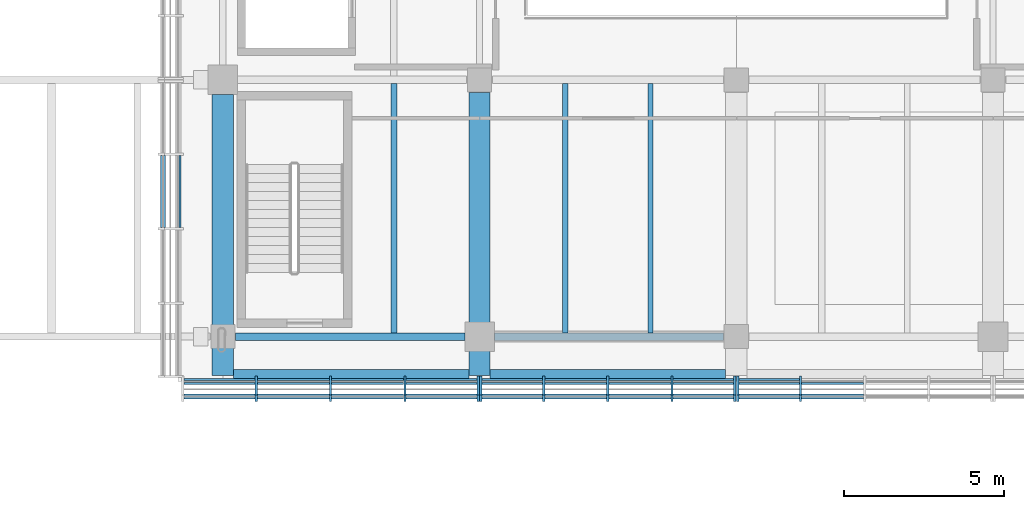
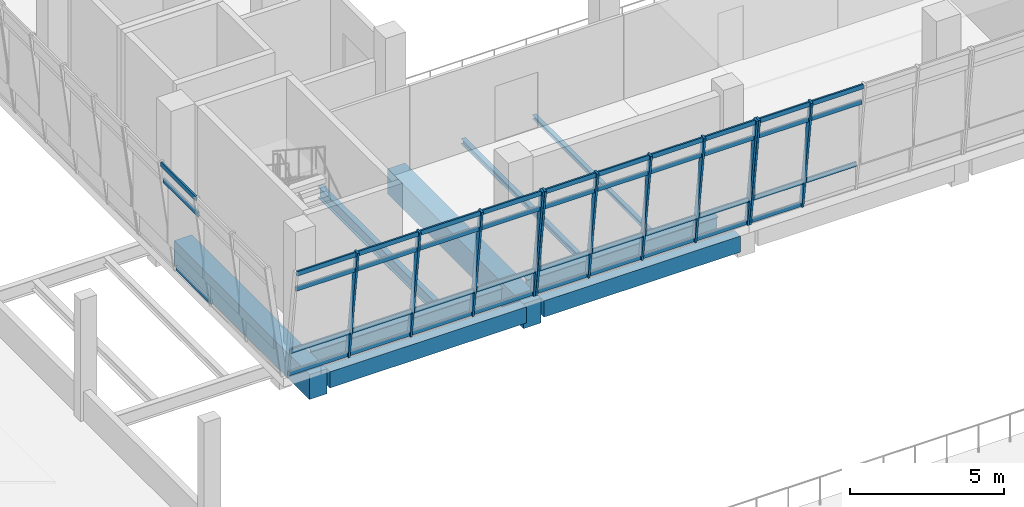
# One storey, part 10 of 52: 53 members, 9 beams, 4 elements without a shape of their own.
"""IFC4 building model written with IfcOpenShell, lengths in metres."""

from ifc_helpers import new_model, si_unit, direction, frame, origin, origin_2d, place, context, subcontext, project, spatial, rectangle, i_section, extrude, material, material_profile, profile_set, type_object, element, aggregate, save


model = new_model("IFC4")

# Units and contexts
model_context = context("Model", 3, precision=1e-05, world=origin(), true_north=direction((0.0, 1.0)))
body_context = subcontext(model_context, "Body", "Model", "MODEL_VIEW")
ifc_project = project(units=[si_unit("LENGTHUNIT", "METRE"), si_unit("AREAUNIT", "SQUARE_METRE"), si_unit("VOLUMEUNIT", "CUBIC_METRE"), si_unit("PLANEANGLEUNIT", "RADIAN"), si_unit("MASSUNIT", "GRAM", prefix="KILO")], contexts=[model_context])

# Site, building, storey
site_placement = place(None, origin())
site = spatial("IfcSite", under=ifc_project, at=site_placement, CompositionType="ELEMENT")
building_placement = place(site_placement, origin())
building = spatial("IfcBuilding", under=site, at=building_placement, Name="Pecanmere Concourse Central Library", CompositionType="ELEMENT")
storey_placement = place(building_placement, frame((0.0, 0.0, 10.5)))
storey = spatial("IfcBuildingStorey", under=building, at=storey_placement, Name="L03", CompositionType="ELEMENT", Elevation=10.5)

# Curtain wall, members
ifc_material_1 = material(Name="Anodized bronze aluminium alloy 6063-T6", Category="aluminium")
curtain_wall_type = type_object("IfcCurtainWallType", Name="CW_LEAN_BANDED", PredefinedType="USERDEFINED", material=ifc_material_1)
curtain_wall_1_placement = place(storey_placement, origin())
curtain_wall_1 = element("IfcCurtainWall", 1, at=curtain_wall_1_placement, inside=storey, type_object=curtain_wall_type, Name="Unitised Curtain Wall CW-01 L03-026", ObjectType="UNITISED CURTAIN WALL", PredefinedType="USERDEFINED")
ifc_material_2 = material(Name="Anodized bronze aluminium alloy 6063-T6", Category="aluminium")
ifc_material_profile_1 = material_profile(ifc_material_2, rectangle(XDim=0.074951171875, YDim=0.199951171875, at=origin_2d()), Name="AL 75x200")
ifc_profile_set_1 = profile_set([ifc_material_profile_1], Name="Anodized bronze aluminium alloy 6063-T6")
member_type_1 = type_object("IfcMemberType", Name="CWM_200x75", PredefinedType="MULLION", material=ifc_profile_set_1)
member_1_placement = place(storey_placement, frame((73.0380859375, 88.678955078125, 0.0), z_axis=(0.0, -0.132234484848, 0.991218462811), x_axis=(1.0, 0.0, 0.0)))
member_1 = element("IfcMember", 2, at=member_1_placement, type_object=member_type_1, Name="CW-01 Mullion 2", PredefinedType="MULLION", context=body_context, shape_type="SweptSolid", body=[
    extrude(rectangle(XDim=0.074951171875, YDim=0.199951171875, at=origin_2d()), origin(), (0.0, 0.0, 1.0), 4.519775390625),
])
member_2_placement = place(storey_placement, frame((75.35693359375, 88.678955078125, 0.0), z_axis=(0.0, -0.132234484848, 0.991218462811), x_axis=(1.0, 0.0, 0.0)))
member_2 = element("IfcMember", 3, at=member_2_placement, type_object=member_type_1, Name="CW-01 Mullion 3", PredefinedType="MULLION", context=body_context, shape_type="SweptSolid", body=[
    extrude(rectangle(XDim=0.074951171875, YDim=0.199951171875, at=origin_2d()), origin(), (0.0, 0.0, 1.0), 4.519775390625),
])
member_3_placement = place(storey_placement, frame((77.676025390625, 88.678955078125, 0.0), z_axis=(0.0, -0.132234484848, 0.991218462811), x_axis=(1.0, 0.0, 0.0)))
member_3 = element("IfcMember", 4, at=member_3_placement, type_object=member_type_1, Name="CW-01 Mullion 4", PredefinedType="MULLION", context=body_context, shape_type="SweptSolid", body=[
    extrude(rectangle(XDim=0.074951171875, YDim=0.199951171875, at=origin_2d()), origin(), (0.0, 0.0, 1.0), 4.519775390625),
])
member_4_placement = place(storey_placement, frame((79.95751953125, 88.678955078125, 0.0), z_axis=(0.0, -0.132234484848, 0.991218462811), x_axis=(1.0, 0.0, 0.0)))
member_4 = element("IfcMember", 5, at=member_4_placement, type_object=member_type_1, Name="CW-01 Mullion 5", PredefinedType="MULLION", context=body_context, shape_type="SweptSolid", body=[
    extrude(rectangle(XDim=0.074951171875, YDim=0.199951171875, at=origin_2d()), origin(), (0.0, 0.0, 1.0), 4.519775390625),
])

curtain_wall_2_placement = place(storey_placement, origin())
curtain_wall_2 = element("IfcCurtainWall", 6, at=curtain_wall_2_placement, inside=storey, type_object=curtain_wall_type, Name="Unitised Curtain Wall CW-01 L03-027", ObjectType="UNITISED CURTAIN WALL", PredefinedType="USERDEFINED")
member_5_placement = place(storey_placement, frame((80.04248046875, 88.678955078125, 0.0), z_axis=(0.0, -0.132234484848, 0.991218462811), x_axis=(1.0, 0.0, 0.0)))
member_5 = element("IfcMember", 7, at=member_5_placement, type_object=member_type_1, Name="CW-01 Mullion 1", PredefinedType="MULLION", context=body_context, shape_type="SweptSolid", body=[
    extrude(rectangle(XDim=0.074951171875, YDim=0.199951171875, at=origin_2d()), origin(), (0.0, 0.0, 1.0), 4.519775390625),
])
member_6_placement = place(storey_placement, frame((82.00244140625, 88.678955078125, 0.0), z_axis=(0.0, -0.132234484848, 0.991218462811), x_axis=(1.0, 0.0, 0.0)))
member_6 = element("IfcMember", 8, at=member_6_placement, type_object=member_type_1, Name="CW-01 Mullion 2", PredefinedType="MULLION", context=body_context, shape_type="SweptSolid", body=[
    extrude(rectangle(XDim=0.074951171875, YDim=0.199951171875, at=origin_2d()), origin(), (0.0, 0.0, 1.0), 4.519775390625),
])
member_7_placement = place(storey_placement, frame((84.0, 88.678955078125, 0.0), z_axis=(0.0, -0.132234484848, 0.991218462811), x_axis=(1.0, 0.0, 0.0)))
member_7 = element("IfcMember", 9, at=member_7_placement, type_object=member_type_1, Name="CW-01 Mullion 3", PredefinedType="MULLION", context=body_context, shape_type="SweptSolid", body=[
    extrude(rectangle(XDim=0.074951171875, YDim=0.199951171875, at=origin_2d()), origin(), (0.0, 0.0, 1.0), 4.519775390625),
])
member_8_placement = place(storey_placement, frame((85.99755859375, 88.678955078125, 0.0), z_axis=(0.0, -0.132234484848, 0.991218462811), x_axis=(1.0, 0.0, 0.0)))
member_8 = element("IfcMember", 10, at=member_8_placement, type_object=member_type_1, Name="CW-01 Mullion 4", PredefinedType="MULLION", context=body_context, shape_type="SweptSolid", body=[
    extrude(rectangle(XDim=0.074951171875, YDim=0.199951171875, at=origin_2d()), origin(), (0.0, 0.0, 1.0), 4.519775390625),
])
member_9_placement = place(storey_placement, frame((87.95751953125, 88.678955078125, 0.0), z_axis=(0.0, -0.132234484848, 0.991218462811), x_axis=(1.0, 0.0, 0.0)))
member_9 = element("IfcMember", 11, at=member_9_placement, type_object=member_type_1, Name="CW-01 Mullion 5", PredefinedType="MULLION", context=body_context, shape_type="SweptSolid", body=[
    extrude(rectangle(XDim=0.074951171875, YDim=0.199951171875, at=origin_2d()), origin(), (0.0, 0.0, 1.0), 4.519775390625),
])

curtain_wall_3_placement = place(storey_placement, origin())
curtain_wall_3 = element("IfcCurtainWall", 12, at=curtain_wall_3_placement, inside=storey, type_object=curtain_wall_type, Name="Unitised Curtain Wall CW-01 L03-028", ObjectType="UNITISED CURTAIN WALL", PredefinedType="USERDEFINED")
member_10_placement = place(storey_placement, frame((88.04248046875, 88.678955078125, 0.0), z_axis=(0.0, -0.132234484848, 0.991218462811), x_axis=(1.0, 0.0, 0.0)))
member_10 = element("IfcMember", 13, at=member_10_placement, type_object=member_type_1, Name="CW-01 Mullion 1", PredefinedType="MULLION", context=body_context, shape_type="SweptSolid", body=[
    extrude(rectangle(XDim=0.074951171875, YDim=0.199951171875, at=origin_2d()), origin(), (0.0, 0.0, 1.0), 4.519775390625),
])
member_11_placement = place(storey_placement, frame((90.00244140625, 88.678955078125, 0.0), z_axis=(0.0, -0.132234484848, 0.991218462811), x_axis=(1.0, 0.0, 0.0)))
member_11 = element("IfcMember", 14, at=member_11_placement, type_object=member_type_1, Name="CW-01 Mullion 2", PredefinedType="MULLION", context=body_context, shape_type="SweptSolid", body=[
    extrude(rectangle(XDim=0.074951171875, YDim=0.199951171875, at=origin_2d()), origin(), (0.0, 0.0, 1.0), 4.519775390625),
])

# Member
ifc_material_3 = material(Name="Anodized bronze aluminium alloy 6063-T6", Category="aluminium")
ifc_material_profile_2 = material_profile(ifc_material_3, rectangle(XDim=0.06494140625, YDim=0.179931640625, at=origin_2d()), Name="AL 65x180")
ifc_profile_set_2 = profile_set([ifc_material_profile_2], Name="Anodized bronze aluminium alloy 6063-T6")
member_type_2 = type_object("IfcMemberType", Name="CWT_180x65", PredefinedType="USERDEFINED", material=ifc_profile_set_2)
member_12_placement = place(storey_placement, frame((70.7939453125, 88.6669921875, 0.090087890625), z_axis=(1.0, 0.0, 0.0), x_axis=(0.0, 1.0, 0.0)))
member_12 = element("IfcMember", 15, at=member_12_placement, type_object=member_type_2, Name="CW-01 Transom 1.1", ObjectType="TRANSOM", PredefinedType="USERDEFINED", context=body_context, shape_type="SweptSolid", body=[
    extrude(rectangle(XDim=0.06494140625, YDim=0.179931640625, at=origin_2d()), origin(), (0.0, 0.0, 1.0), 2.20654296875),
])

member_13_placement = place(storey_placement, frame((70.7939453125, 88.538818359375, 1.050048828125), z_axis=(1.0, 0.0, 0.0), x_axis=(0.0, 1.0, 0.0)))
member_13 = element("IfcMember", 16, at=member_13_placement, type_object=member_type_2, Name="CW-01 Transom 1.2", ObjectType="TRANSOM", PredefinedType="USERDEFINED", context=body_context, shape_type="SweptSolid", body=[
    extrude(rectangle(XDim=0.06494140625, YDim=0.179931640625, at=origin_2d()), origin(), (0.0, 0.0, 1.0), 2.20654296875),
])

member_14_placement = place(storey_placement, frame((70.7939453125, 88.181396484375, 3.72998046875), z_axis=(1.0, 0.0, 0.0), x_axis=(0.0, 1.0, 0.0)))
member_14 = element("IfcMember", 17, at=member_14_placement, type_object=member_type_2, Name="CW-01 Transom 1.3", ObjectType="TRANSOM", PredefinedType="USERDEFINED", context=body_context, shape_type="SweptSolid", body=[
    extrude(rectangle(XDim=0.06494140625, YDim=0.179931640625, at=origin_2d()), origin(), (0.0, 0.0, 1.0), 2.20654296875),
])

member_15_placement = place(storey_placement, frame((70.7939453125, 88.09326171875, 4.389892578125), z_axis=(1.0, 0.0, 0.0), x_axis=(0.0, 1.0, 0.0)))
member_15 = element("IfcMember", 18, at=member_15_placement, type_object=member_type_2, Name="CW-01 Transom 1.4", ObjectType="TRANSOM", PredefinedType="USERDEFINED", context=body_context, shape_type="SweptSolid", body=[
    extrude(rectangle(XDim=0.06494140625, YDim=0.179931640625, at=origin_2d()), origin(), (0.0, 0.0, 1.0), 2.20654296875),
])

member_16_placement = place(storey_placement, frame((73.075439453125, 88.6669921875, 0.090087890625), z_axis=(1.0, 0.0, 0.0), x_axis=(0.0, 1.0, 0.0)))
member_16 = element("IfcMember", 19, at=member_16_placement, type_object=member_type_2, Name="CW-01 Transom 2.1", ObjectType="TRANSOM", PredefinedType="USERDEFINED", context=body_context, shape_type="SweptSolid", body=[
    extrude(rectangle(XDim=0.06494140625, YDim=0.179931640625, at=origin_2d()), origin(), (0.0, 0.0, 1.0), 2.244140625),
])

member_17_placement = place(storey_placement, frame((73.075439453125, 88.538818359375, 1.050048828125), z_axis=(1.0, 0.0, 0.0), x_axis=(0.0, 1.0, 0.0)))
member_17 = element("IfcMember", 20, at=member_17_placement, type_object=member_type_2, Name="CW-01 Transom 2.2", ObjectType="TRANSOM", PredefinedType="USERDEFINED", context=body_context, shape_type="SweptSolid", body=[
    extrude(rectangle(XDim=0.06494140625, YDim=0.179931640625, at=origin_2d()), origin(), (0.0, 0.0, 1.0), 2.244140625),
])

member_18_placement = place(storey_placement, frame((73.075439453125, 88.181396484375, 3.72998046875), z_axis=(1.0, 0.0, 0.0), x_axis=(0.0, 1.0, 0.0)))
member_18 = element("IfcMember", 21, at=member_18_placement, type_object=member_type_2, Name="CW-01 Transom 2.3", ObjectType="TRANSOM", PredefinedType="USERDEFINED", context=body_context, shape_type="SweptSolid", body=[
    extrude(rectangle(XDim=0.06494140625, YDim=0.179931640625, at=origin_2d()), origin(), (0.0, 0.0, 1.0), 2.244140625),
])

member_19_placement = place(storey_placement, frame((73.075439453125, 88.09326171875, 4.389892578125), z_axis=(1.0, 0.0, 0.0), x_axis=(0.0, 1.0, 0.0)))
member_19 = element("IfcMember", 22, at=member_19_placement, type_object=member_type_2, Name="CW-01 Transom 2.4", ObjectType="TRANSOM", PredefinedType="USERDEFINED", context=body_context, shape_type="SweptSolid", body=[
    extrude(rectangle(XDim=0.06494140625, YDim=0.179931640625, at=origin_2d()), origin(), (0.0, 0.0, 1.0), 2.244140625),
])

member_20_placement = place(storey_placement, frame((75.39453125, 88.6669921875, 0.090087890625), z_axis=(1.0, 0.0, 0.0), x_axis=(0.0, 1.0, 0.0)))
member_20 = element("IfcMember", 23, at=member_20_placement, type_object=member_type_2, Name="CW-01 Transom 3.1", ObjectType="TRANSOM", PredefinedType="USERDEFINED", context=body_context, shape_type="SweptSolid", body=[
    extrude(rectangle(XDim=0.06494140625, YDim=0.179931640625, at=origin_2d()), origin(), (0.0, 0.0, 1.0), 2.243896484375),
])

member_21_placement = place(storey_placement, frame((75.39453125, 88.538818359375, 1.050048828125), z_axis=(1.0, 0.0, 0.0), x_axis=(0.0, 1.0, 0.0)))
member_21 = element("IfcMember", 24, at=member_21_placement, type_object=member_type_2, Name="CW-01 Transom 3.2", ObjectType="TRANSOM", PredefinedType="USERDEFINED", context=body_context, shape_type="SweptSolid", body=[
    extrude(rectangle(XDim=0.06494140625, YDim=0.179931640625, at=origin_2d()), origin(), (0.0, 0.0, 1.0), 2.243896484375),
])

member_22_placement = place(storey_placement, frame((75.39453125, 88.181396484375, 3.72998046875), z_axis=(1.0, 0.0, 0.0), x_axis=(0.0, 1.0, 0.0)))
member_22 = element("IfcMember", 25, at=member_22_placement, type_object=member_type_2, Name="CW-01 Transom 3.3", ObjectType="TRANSOM", PredefinedType="USERDEFINED", context=body_context, shape_type="SweptSolid", body=[
    extrude(rectangle(XDim=0.06494140625, YDim=0.179931640625, at=origin_2d()), origin(), (0.0, 0.0, 1.0), 2.243896484375),
])

member_23_placement = place(storey_placement, frame((75.39453125, 88.09326171875, 4.389892578125), z_axis=(1.0, 0.0, 0.0), x_axis=(0.0, 1.0, 0.0)))
member_23 = element("IfcMember", 26, at=member_23_placement, type_object=member_type_2, Name="CW-01 Transom 3.4", ObjectType="TRANSOM", PredefinedType="USERDEFINED", context=body_context, shape_type="SweptSolid", body=[
    extrude(rectangle(XDim=0.06494140625, YDim=0.179931640625, at=origin_2d()), origin(), (0.0, 0.0, 1.0), 2.243896484375),
])

member_24_placement = place(storey_placement, frame((77.71337890625, 88.6669921875, 0.090087890625), z_axis=(1.0, 0.0, 0.0), x_axis=(0.0, 1.0, 0.0)))
member_24 = element("IfcMember", 27, at=member_24_placement, type_object=member_type_2, Name="CW-01 Transom 4.1", ObjectType="TRANSOM", PredefinedType="USERDEFINED", context=body_context, shape_type="SweptSolid", body=[
    extrude(rectangle(XDim=0.06494140625, YDim=0.179931640625, at=origin_2d()), origin(), (0.0, 0.0, 1.0), 2.20654296875),
])

member_25_placement = place(storey_placement, frame((77.71337890625, 88.538818359375, 1.050048828125), z_axis=(1.0, 0.0, 0.0), x_axis=(0.0, 1.0, 0.0)))
member_25 = element("IfcMember", 28, at=member_25_placement, type_object=member_type_2, Name="CW-01 Transom 4.2", ObjectType="TRANSOM", PredefinedType="USERDEFINED", context=body_context, shape_type="SweptSolid", body=[
    extrude(rectangle(XDim=0.06494140625, YDim=0.179931640625, at=origin_2d()), origin(), (0.0, 0.0, 1.0), 2.20654296875),
])

member_26_placement = place(storey_placement, frame((77.71337890625, 88.181396484375, 3.72998046875), z_axis=(1.0, 0.0, 0.0), x_axis=(0.0, 1.0, 0.0)))
member_26 = element("IfcMember", 29, at=member_26_placement, type_object=member_type_2, Name="CW-01 Transom 4.3", ObjectType="TRANSOM", PredefinedType="USERDEFINED", context=body_context, shape_type="SweptSolid", body=[
    extrude(rectangle(XDim=0.06494140625, YDim=0.179931640625, at=origin_2d()), origin(), (0.0, 0.0, 1.0), 2.20654296875),
])

member_27_placement = place(storey_placement, frame((77.71337890625, 88.09326171875, 4.389892578125), z_axis=(1.0, 0.0, 0.0), x_axis=(0.0, 1.0, 0.0)))
member_27 = element("IfcMember", 30, at=member_27_placement, type_object=member_type_2, Name="CW-01 Transom 4.4", ObjectType="TRANSOM", PredefinedType="USERDEFINED", context=body_context, shape_type="SweptSolid", body=[
    extrude(rectangle(XDim=0.06494140625, YDim=0.179931640625, at=origin_2d()), origin(), (0.0, 0.0, 1.0), 2.20654296875),
])

aggregate(curtain_wall_1, [member_1, member_2, member_3, member_4, member_12, member_13, member_14, member_15, member_16, member_17, member_18, member_19, member_20, member_21, member_22, member_23, member_24, member_25, member_26, member_27])

member_28_placement = place(storey_placement, frame((80.080078125, 88.6669921875, 0.090087890625), z_axis=(1.0, 0.0, 0.0), x_axis=(0.0, 1.0, 0.0)))
member_28 = element("IfcMember", 31, at=member_28_placement, type_object=member_type_2, Name="CW-01 Transom 1.1", ObjectType="TRANSOM", PredefinedType="USERDEFINED", context=body_context, shape_type="SweptSolid", body=[
    extrude(rectangle(XDim=0.06494140625, YDim=0.179931640625, at=origin_2d()), origin(), (0.0, 0.0, 1.0), 1.885009765625),
])

member_29_placement = place(storey_placement, frame((80.080078125, 88.538818359375, 1.050048828125), z_axis=(1.0, 0.0, 0.0), x_axis=(0.0, 1.0, 0.0)))
member_29 = element("IfcMember", 32, at=member_29_placement, type_object=member_type_2, Name="CW-01 Transom 1.2", ObjectType="TRANSOM", PredefinedType="USERDEFINED", context=body_context, shape_type="SweptSolid", body=[
    extrude(rectangle(XDim=0.06494140625, YDim=0.179931640625, at=origin_2d()), origin(), (0.0, 0.0, 1.0), 1.885009765625),
])

member_30_placement = place(storey_placement, frame((80.080078125, 88.181396484375, 3.72998046875), z_axis=(1.0, 0.0, 0.0), x_axis=(0.0, 1.0, 0.0)))
member_30 = element("IfcMember", 33, at=member_30_placement, type_object=member_type_2, Name="CW-01 Transom 1.3", ObjectType="TRANSOM", PredefinedType="USERDEFINED", context=body_context, shape_type="SweptSolid", body=[
    extrude(rectangle(XDim=0.06494140625, YDim=0.179931640625, at=origin_2d()), origin(), (0.0, 0.0, 1.0), 1.885009765625),
])

member_31_placement = place(storey_placement, frame((80.080078125, 88.09326171875, 4.389892578125), z_axis=(1.0, 0.0, 0.0), x_axis=(0.0, 1.0, 0.0)))
member_31 = element("IfcMember", 34, at=member_31_placement, type_object=member_type_2, Name="CW-01 Transom 1.4", ObjectType="TRANSOM", PredefinedType="USERDEFINED", context=body_context, shape_type="SweptSolid", body=[
    extrude(rectangle(XDim=0.06494140625, YDim=0.179931640625, at=origin_2d()), origin(), (0.0, 0.0, 1.0), 1.885009765625),
])

member_32_placement = place(storey_placement, frame((82.0400390625, 88.6669921875, 0.090087890625), z_axis=(1.0, 0.0, 0.0), x_axis=(0.0, 1.0, 0.0)))
member_32 = element("IfcMember", 35, at=member_32_placement, type_object=member_type_2, Name="CW-01 Transom 2.1", ObjectType="TRANSOM", PredefinedType="USERDEFINED", context=body_context, shape_type="SweptSolid", body=[
    extrude(rectangle(XDim=0.06494140625, YDim=0.179931640625, at=origin_2d()), origin(), (0.0, 0.0, 1.0), 1.92236328125),
])

member_33_placement = place(storey_placement, frame((82.0400390625, 88.538818359375, 1.050048828125), z_axis=(1.0, 0.0, 0.0), x_axis=(0.0, 1.0, 0.0)))
member_33 = element("IfcMember", 36, at=member_33_placement, type_object=member_type_2, Name="CW-01 Transom 2.2", ObjectType="TRANSOM", PredefinedType="USERDEFINED", context=body_context, shape_type="SweptSolid", body=[
    extrude(rectangle(XDim=0.06494140625, YDim=0.179931640625, at=origin_2d()), origin(), (0.0, 0.0, 1.0), 1.92236328125),
])

member_34_placement = place(storey_placement, frame((82.0400390625, 88.181396484375, 3.72998046875), z_axis=(1.0, 0.0, 0.0), x_axis=(0.0, 1.0, 0.0)))
member_34 = element("IfcMember", 37, at=member_34_placement, type_object=member_type_2, Name="CW-01 Transom 2.3", ObjectType="TRANSOM", PredefinedType="USERDEFINED", context=body_context, shape_type="SweptSolid", body=[
    extrude(rectangle(XDim=0.06494140625, YDim=0.179931640625, at=origin_2d()), origin(), (0.0, 0.0, 1.0), 1.92236328125),
])

member_35_placement = place(storey_placement, frame((82.0400390625, 88.09326171875, 4.389892578125), z_axis=(1.0, 0.0, 0.0), x_axis=(0.0, 1.0, 0.0)))
member_35 = element("IfcMember", 38, at=member_35_placement, type_object=member_type_2, Name="CW-01 Transom 2.4", ObjectType="TRANSOM", PredefinedType="USERDEFINED", context=body_context, shape_type="SweptSolid", body=[
    extrude(rectangle(XDim=0.06494140625, YDim=0.179931640625, at=origin_2d()), origin(), (0.0, 0.0, 1.0), 1.92236328125),
])

member_36_placement = place(storey_placement, frame((84.03759765625, 88.6669921875, 0.090087890625), z_axis=(1.0, 0.0, 0.0), x_axis=(0.0, 1.0, 0.0)))
member_36 = element("IfcMember", 39, at=member_36_placement, type_object=member_type_2, Name="CW-01 Transom 3.1", ObjectType="TRANSOM", PredefinedType="USERDEFINED", context=body_context, shape_type="SweptSolid", body=[
    extrude(rectangle(XDim=0.06494140625, YDim=0.179931640625, at=origin_2d()), origin(), (0.0, 0.0, 1.0), 1.92236328125),
])

member_37_placement = place(storey_placement, frame((84.03759765625, 88.538818359375, 1.050048828125), z_axis=(1.0, 0.0, 0.0), x_axis=(0.0, 1.0, 0.0)))
member_37 = element("IfcMember", 40, at=member_37_placement, type_object=member_type_2, Name="CW-01 Transom 3.2", ObjectType="TRANSOM", PredefinedType="USERDEFINED", context=body_context, shape_type="SweptSolid", body=[
    extrude(rectangle(XDim=0.06494140625, YDim=0.179931640625, at=origin_2d()), origin(), (0.0, 0.0, 1.0), 1.92236328125),
])

member_38_placement = place(storey_placement, frame((84.03759765625, 88.181396484375, 3.72998046875), z_axis=(1.0, 0.0, 0.0), x_axis=(0.0, 1.0, 0.0)))
member_38 = element("IfcMember", 41, at=member_38_placement, type_object=member_type_2, Name="CW-01 Transom 3.3", ObjectType="TRANSOM", PredefinedType="USERDEFINED", context=body_context, shape_type="SweptSolid", body=[
    extrude(rectangle(XDim=0.06494140625, YDim=0.179931640625, at=origin_2d()), origin(), (0.0, 0.0, 1.0), 1.92236328125),
])

member_39_placement = place(storey_placement, frame((84.03759765625, 88.09326171875, 4.389892578125), z_axis=(1.0, 0.0, 0.0), x_axis=(0.0, 1.0, 0.0)))
member_39 = element("IfcMember", 42, at=member_39_placement, type_object=member_type_2, Name="CW-01 Transom 3.4", ObjectType="TRANSOM", PredefinedType="USERDEFINED", context=body_context, shape_type="SweptSolid", body=[
    extrude(rectangle(XDim=0.06494140625, YDim=0.179931640625, at=origin_2d()), origin(), (0.0, 0.0, 1.0), 1.92236328125),
])

member_40_placement = place(storey_placement, frame((86.034912109375, 88.6669921875, 0.090087890625), z_axis=(1.0, 0.0, 0.0), x_axis=(0.0, 1.0, 0.0)))
member_40 = element("IfcMember", 43, at=member_40_placement, type_object=member_type_2, Name="CW-01 Transom 4.1", ObjectType="TRANSOM", PredefinedType="USERDEFINED", context=body_context, shape_type="SweptSolid", body=[
    extrude(rectangle(XDim=0.06494140625, YDim=0.179931640625, at=origin_2d()), origin(), (0.0, 0.0, 1.0), 1.885009765625),
])

member_41_placement = place(storey_placement, frame((86.034912109375, 88.538818359375, 1.050048828125), z_axis=(1.0, 0.0, 0.0), x_axis=(0.0, 1.0, 0.0)))
member_41 = element("IfcMember", 44, at=member_41_placement, type_object=member_type_2, Name="CW-01 Transom 4.2", ObjectType="TRANSOM", PredefinedType="USERDEFINED", context=body_context, shape_type="SweptSolid", body=[
    extrude(rectangle(XDim=0.06494140625, YDim=0.179931640625, at=origin_2d()), origin(), (0.0, 0.0, 1.0), 1.885009765625),
])

member_42_placement = place(storey_placement, frame((86.034912109375, 88.181396484375, 3.72998046875), z_axis=(1.0, 0.0, 0.0), x_axis=(0.0, 1.0, 0.0)))
member_42 = element("IfcMember", 45, at=member_42_placement, type_object=member_type_2, Name="CW-01 Transom 4.3", ObjectType="TRANSOM", PredefinedType="USERDEFINED", context=body_context, shape_type="SweptSolid", body=[
    extrude(rectangle(XDim=0.06494140625, YDim=0.179931640625, at=origin_2d()), origin(), (0.0, 0.0, 1.0), 1.885009765625),
])

member_43_placement = place(storey_placement, frame((86.034912109375, 88.09326171875, 4.389892578125), z_axis=(1.0, 0.0, 0.0), x_axis=(0.0, 1.0, 0.0)))
member_43 = element("IfcMember", 46, at=member_43_placement, type_object=member_type_2, Name="CW-01 Transom 4.4", ObjectType="TRANSOM", PredefinedType="USERDEFINED", context=body_context, shape_type="SweptSolid", body=[
    extrude(rectangle(XDim=0.06494140625, YDim=0.179931640625, at=origin_2d()), origin(), (0.0, 0.0, 1.0), 1.885009765625),
])

aggregate(curtain_wall_2, [member_5, member_6, member_7, member_8, member_9, member_28, member_29, member_30, member_31, member_32, member_33, member_34, member_35, member_36, member_37, member_38, member_39, member_40, member_41, member_42, member_43])

member_44_placement = place(storey_placement, frame((88.080078125, 88.6669921875, 0.090087890625), z_axis=(1.0, 0.0, 0.0), x_axis=(0.0, 1.0, 0.0)))
member_44 = element("IfcMember", 47, at=member_44_placement, type_object=member_type_2, Name="CW-01 Transom 1.1", ObjectType="TRANSOM", PredefinedType="USERDEFINED", context=body_context, shape_type="SweptSolid", body=[
    extrude(rectangle(XDim=0.06494140625, YDim=0.179931640625, at=origin_2d()), origin(), (0.0, 0.0, 1.0), 1.885009765625),
])

member_45_placement = place(storey_placement, frame((88.080078125, 88.538818359375, 1.050048828125), z_axis=(1.0, 0.0, 0.0), x_axis=(0.0, 1.0, 0.0)))
member_45 = element("IfcMember", 48, at=member_45_placement, type_object=member_type_2, Name="CW-01 Transom 1.2", ObjectType="TRANSOM", PredefinedType="USERDEFINED", context=body_context, shape_type="SweptSolid", body=[
    extrude(rectangle(XDim=0.06494140625, YDim=0.179931640625, at=origin_2d()), origin(), (0.0, 0.0, 1.0), 1.885009765625),
])

member_46_placement = place(storey_placement, frame((88.080078125, 88.181396484375, 3.72998046875), z_axis=(1.0, 0.0, 0.0), x_axis=(0.0, 1.0, 0.0)))
member_46 = element("IfcMember", 49, at=member_46_placement, type_object=member_type_2, Name="CW-01 Transom 1.3", ObjectType="TRANSOM", PredefinedType="USERDEFINED", context=body_context, shape_type="SweptSolid", body=[
    extrude(rectangle(XDim=0.06494140625, YDim=0.179931640625, at=origin_2d()), origin(), (0.0, 0.0, 1.0), 1.885009765625),
])

member_47_placement = place(storey_placement, frame((88.080078125, 88.09326171875, 4.389892578125), z_axis=(1.0, 0.0, 0.0), x_axis=(0.0, 1.0, 0.0)))
member_47 = element("IfcMember", 50, at=member_47_placement, type_object=member_type_2, Name="CW-01 Transom 1.4", ObjectType="TRANSOM", PredefinedType="USERDEFINED", context=body_context, shape_type="SweptSolid", body=[
    extrude(rectangle(XDim=0.06494140625, YDim=0.179931640625, at=origin_2d()), origin(), (0.0, 0.0, 1.0), 1.885009765625),
])

member_48_placement = place(storey_placement, frame((90.0400390625, 88.538818359375, 1.050048828125), z_axis=(1.0, 0.0, 0.0), x_axis=(0.0, 1.0, 0.0)))
member_48 = element("IfcMember", 51, at=member_48_placement, type_object=member_type_2, Name="CW-01 Transom 2.2", ObjectType="TRANSOM", PredefinedType="USERDEFINED", context=body_context, shape_type="SweptSolid", body=[
    extrude(rectangle(XDim=0.06494140625, YDim=0.179931640625, at=origin_2d()), origin(), (0.0, 0.0, 1.0), 1.92236328125),
])

member_49_placement = place(storey_placement, frame((90.0400390625, 88.181396484375, 3.72998046875), z_axis=(1.0, 0.0, 0.0), x_axis=(0.0, 1.0, 0.0)))
member_49 = element("IfcMember", 52, at=member_49_placement, type_object=member_type_2, Name="CW-01 Transom 2.3", ObjectType="TRANSOM", PredefinedType="USERDEFINED", context=body_context, shape_type="SweptSolid", body=[
    extrude(rectangle(XDim=0.06494140625, YDim=0.179931640625, at=origin_2d()), origin(), (0.0, 0.0, 1.0), 1.92236328125),
])

member_50_placement = place(storey_placement, frame((90.0400390625, 88.09326171875, 4.389892578125), z_axis=(1.0, 0.0, 0.0), x_axis=(0.0, 1.0, 0.0)))
member_50 = element("IfcMember", 53, at=member_50_placement, type_object=member_type_2, Name="CW-01 Transom 2.4", ObjectType="TRANSOM", PredefinedType="USERDEFINED", context=body_context, shape_type="SweptSolid", body=[
    extrude(rectangle(XDim=0.06494140625, YDim=0.179931640625, at=origin_2d()), origin(), (0.0, 0.0, 1.0), 1.92236328125),
])

aggregate(curtain_wall_3, [member_10, member_11, member_44, member_45, member_46, member_47, member_48, member_49, member_50])

# Curtain wall, members
curtain_wall_4_placement = place(storey_placement, origin())
curtain_wall_4 = element("IfcCurtainWall", 54, at=curtain_wall_4_placement, inside=storey, type_object=curtain_wall_type, Name="Unitised Curtain Wall CW-01 L03-037", ObjectType="UNITISED CURTAIN WALL", PredefinedType="USERDEFINED")
member_51_placement = place(storey_placement, frame((70.6669921875, 95.638427734375, 0.090087890625), z_axis=(0.0, -1.0, 0.0), x_axis=(1.0, 0.0, 0.0)))
member_51 = element("IfcMember", 55, at=member_51_placement, type_object=member_type_2, Name="CW-01 Transom 2.1", ObjectType="TRANSOM", PredefinedType="USERDEFINED", context=body_context, shape_type="SweptSolid", body=[
    extrude(rectangle(XDim=0.06494140625, YDim=0.179931640625, at=origin_2d()), origin(), (0.0, 0.0, 1.0), 2.243896484375),
])
member_52_placement = place(storey_placement, frame((70.181396484375, 95.638427734375, 3.72998046875), z_axis=(0.0, -1.0, 0.0), x_axis=(1.0, 0.0, 0.0)))
member_52 = element("IfcMember", 56, at=member_52_placement, type_object=member_type_2, Name="CW-01 Transom 2.3", ObjectType="TRANSOM", PredefinedType="USERDEFINED", context=body_context, shape_type="SweptSolid", body=[
    extrude(rectangle(XDim=0.06494140625, YDim=0.179931640625, at=origin_2d()), origin(), (0.0, 0.0, 1.0), 2.243896484375),
])
member_53_placement = place(storey_placement, frame((70.09326171875, 95.638427734375, 4.389892578125), z_axis=(0.0, -1.0, 0.0), x_axis=(1.0, 0.0, 0.0)))
member_53 = element("IfcMember", 57, at=member_53_placement, type_object=member_type_2, Name="CW-01 Transom 2.4", ObjectType="TRANSOM", PredefinedType="USERDEFINED", context=body_context, shape_type="SweptSolid", body=[
    extrude(rectangle(XDim=0.06494140625, YDim=0.179931640625, at=origin_2d()), origin(), (0.0, 0.0, 1.0), 2.243896484375),
])
aggregate(curtain_wall_4, [member_51, member_52, member_53])

# Beams
ifc_material_4 = material(Name="Concrete C40/50", Category="concrete")
ifc_material_profile_3 = material_profile(ifc_material_4, rectangle(XDim=0.659912109375, YDim=0.97998046875, at=origin_2d()), Name="RC 660x980")
ifc_profile_set_3 = profile_set([ifc_material_profile_3], Name="Concrete C40/50")
beam_type_1 = type_object("IfcBeamType", Name="GRD_660x980", PredefinedType="USERDEFINED", material=ifc_profile_set_3)
beam_1_placement = place(storey_placement, frame((72.0, 88.7890625, -0.830078125), z_axis=(0.0, 1.0, 0.0), x_axis=(-1.0, 0.0, 0.0)))
element("IfcBeam", 58, at=beam_1_placement, inside=storey, type_object=beam_type_1, Name="Primary Girder Y L03-1728", ObjectType="GIRDER", PredefinedType="USERDEFINED", context=body_context, shape_type="SweptSolid", body=[
    extrude(rectangle(XDim=0.659912109375, YDim=0.97998046875, at=origin_2d()), origin(), (0.0, 0.0, 1.0), 8.7509765625),
])
beam_2_placement = place(storey_placement, frame((80.0, 88.7890625, -0.830078125), z_axis=(0.0, 1.0, 0.0), x_axis=(-1.0, 0.0, 0.0)))
element("IfcBeam", 59, at=beam_2_placement, inside=storey, type_object=beam_type_1, Name="Primary Girder Y L03-1737", ObjectType="GIRDER", PredefinedType="USERDEFINED", context=body_context, shape_type="SweptSolid", body=[
    extrude(rectangle(XDim=0.659912109375, YDim=0.97998046875, at=origin_2d()), origin(), (0.0, 0.0, 1.0), 8.81103515625),
])
ifc_material_5 = material(Name="Structural steel ASTM A992 Grade 50", Category="steel")
ifc_material_profile_4 = material_profile(ifc_material_5, i_section(OverallWidth=0.152099609375, OverallDepth=0.152099609375, WebThickness=0.005859375, FlangeThickness=0.006591796875, at=origin_2d()), Name="W150x22.5")
ifc_profile_set_4 = profile_set([ifc_material_profile_4], Name="Structural steel ASTM A992 Grade 50")
beam_type_2 = type_object("IfcBeamType", Name="SBM_W150x22", PredefinedType="LINTEL", material=ifc_profile_set_4)
beam_3_placement = place(storey_placement, frame((85.333251953125, 90.114990234375, -0.416015625), z_axis=(0.0, 1.0, 0.0), x_axis=(-1.0, 0.0, 0.0)))
element("IfcBeam", 60, at=beam_3_placement, inside=storey, type_object=beam_type_2, Name="Secondary Floor Joist L03-1961", PredefinedType="LINTEL", context=body_context, shape_type="SweptSolid", body=[
    extrude(i_section(OverallWidth=0.152099609375, OverallDepth=0.152099609375, WebThickness=0.005859375, FlangeThickness=0.006591796875, at=origin_2d()), origin(), (0.0, 0.0, 1.0), 7.77001953125),
])
ifc_material_6 = material(Name="Structural steel ASTM A992 Grade 50", Category="steel")
ifc_material_profile_5 = material_profile(ifc_material_6, i_section(OverallWidth=0.1650390625, OverallDepth=0.200927734375, WebThickness=0.006103515625, FlangeThickness=0.01025390625, at=origin_2d()), Name="W200x35.9")
ifc_profile_set_5 = profile_set([ifc_material_profile_5], Name="Structural steel ASTM A992 Grade 50")
beam_type_3 = type_object("IfcBeamType", Name="SBM_W200x36", PredefinedType="LINTEL", material=ifc_profile_set_5)
beam_4_placement = place(storey_placement, frame((82.666748046875, 90.114990234375, -0.4404296875), z_axis=(0.0, 1.0, 0.0), x_axis=(-1.0, 0.0, 0.0)))
element("IfcBeam", 61, at=beam_4_placement, inside=storey, type_object=beam_type_3, Name="Secondary Floor Joist L03-1960", PredefinedType="LINTEL", context=body_context, shape_type="SweptSolid", body=[
    extrude(i_section(OverallWidth=0.1650390625, OverallDepth=0.200927734375, WebThickness=0.006103515625, FlangeThickness=0.01025390625, at=origin_2d()), origin(), (0.0, 0.0, 1.0), 7.77001953125),
])
ifc_material_7 = material(Name="Structural steel ASTM A992 Grade 50", Category="steel")
ifc_material_profile_6 = material_profile(ifc_material_7, i_section(OverallWidth=0.194091796875, OverallDepth=0.468994140625, WebThickness=0.0126953125, FlangeThickness=0.0205078125, at=origin_2d()), Name="W460x106")
ifc_profile_set_6 = profile_set([ifc_material_profile_6], Name="Structural steel ASTM A992 Grade 50")
beam_type_4 = type_object("IfcBeamType", Name="SBM_W460x106", PredefinedType="USERDEFINED", material=ifc_profile_set_6)
beam_5_placement = place(storey_placement, frame((77.333251953125, 90.114990234375, -0.574462890625), z_axis=(0.0, 1.0, 0.0), x_axis=(-1.0, 0.0, 0.0)))
element("IfcBeam", 62, at=beam_5_placement, inside=storey, type_object=beam_type_4, Name="Secondary Floor Joist L03-1945", ObjectType="GIRDER", PredefinedType="USERDEFINED", context=body_context, shape_type="SweptSolid", body=[
    extrude(i_section(OverallWidth=0.194091796875, OverallDepth=0.468994140625, WebThickness=0.0126953125, FlangeThickness=0.0205078125, at=origin_2d()), origin(), (0.0, 0.0, 1.0), 7.77001953125),
])
ifc_material_8 = material(Name="Structural steel ASTM A992 Grade 50", Category="steel")
ifc_material_profile_7 = material_profile(ifc_material_8, i_section(OverallWidth=0.22998046875, OverallDepth=0.616943359375, WebThickness=0.01318359375, FlangeThickness=0.022216796875, at=origin_2d()), Name="W610x140")
ifc_profile_set_7 = profile_set([ifc_material_profile_7], Name="Structural steel ASTM A992 Grade 50")
beam_type_5 = type_object("IfcBeamType", Name="SBM_W610x140", PredefinedType="USERDEFINED", material=ifc_profile_set_7)
for number, where, z_axis, x_axis, name in (
    (63, (72.39990234375, 90.0, -0.6484375), (1.0, 0.0, 0.0), (0.0, 1.0, 0.0), "Primary Girder X L03-1612"),
    (64, (80.4599609375, 90.0, -0.6484375), (1.0, 0.0, 0.0), (0.0, 1.0, 0.0), "Primary Girder X L03-1613"),
):
    element("IfcBeam", number, at=place(storey_placement, frame(where, z_axis=z_axis, x_axis=x_axis)), inside=storey, type_object=beam_type_5, Name=name, ObjectType="GIRDER", PredefinedType="USERDEFINED", context=body_context, shape_type="SweptSolid", body=[
        extrude(i_section(OverallWidth=0.22998046875, OverallDepth=0.616943359375, WebThickness=0.01318359375, FlangeThickness=0.022216796875, at=origin_2d()), origin(), (0.0, 0.0, 1.0), 7.14013671875),
    ])
ifc_material_9 = material(Name="Concrete C40/50", Category="concrete")
ifc_material_profile_8 = material_profile(ifc_material_9, rectangle(XDim=0.3798828125, YDim=0.639892578125, at=origin_2d()), Name="RC 380x640")
ifc_profile_set_8 = profile_set([ifc_material_profile_8], Name="Concrete C40/50")
beam_type_6 = type_object("IfcBeamType", Name="SPB_380x640", PredefinedType="BEAM", material=ifc_profile_set_8)
for number, where, z_axis, x_axis, name in (
    (65, (72.330078125, 88.7890625, -0.659912109375), (1.0, 0.0, 0.0), (0.0, 1.0, 0.0), "Leaning Facade Edge Beam L03-1835"),
    (66, (80.330078125, 88.7890625, -0.659912109375), (1.0, 0.0, 0.0), (0.0, 1.0, 0.0), "Leaning Facade Edge Beam L03-1836"),
):
    element("IfcBeam", number, at=place(storey_placement, frame(where, z_axis=z_axis, x_axis=x_axis)), inside=storey, type_object=beam_type_6, Name=name, PredefinedType="BEAM", context=body_context, shape_type="SweptSolid", body=[
        extrude(rectangle(XDim=0.3798828125, YDim=0.639892578125, at=origin_2d()), origin(), (0.0, 0.0, 1.0), 7.33984375),
    ])

save(model, "model.ifc")
